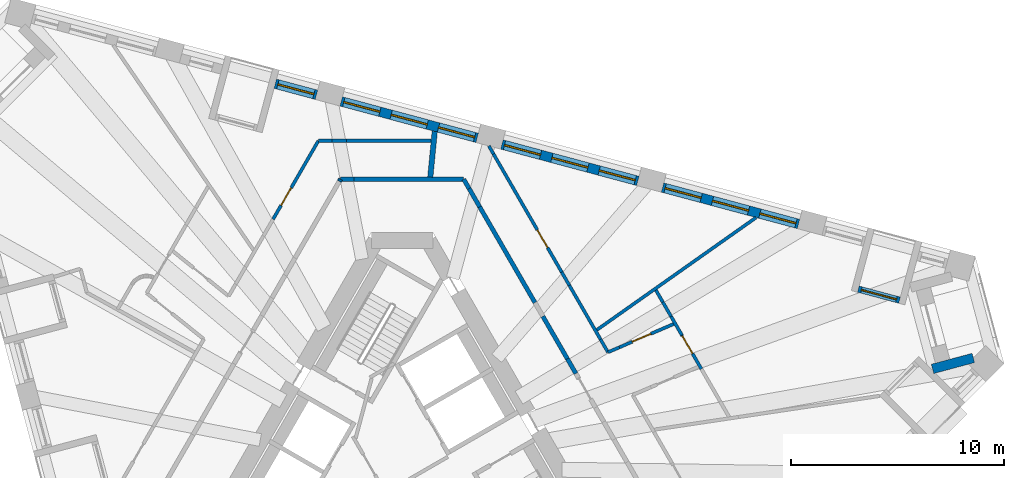
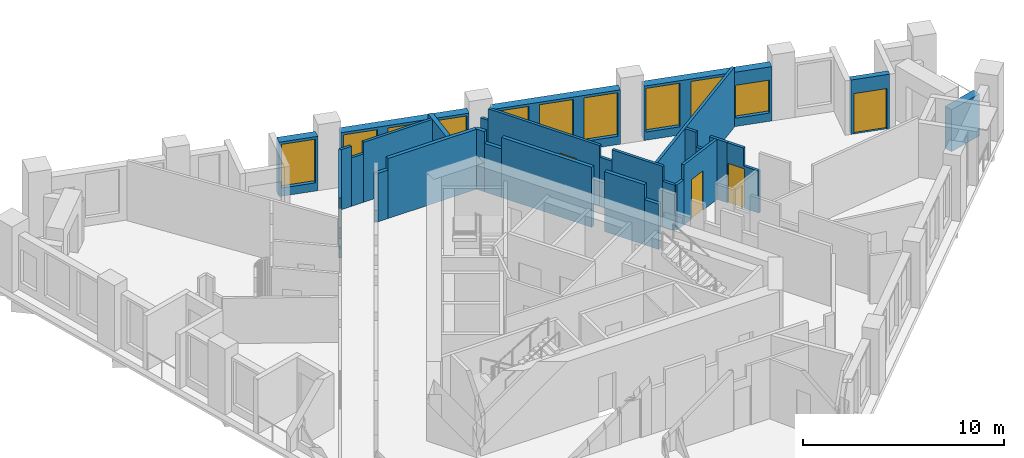
# One storey, part 8 of 13: 31 walls, 10 windows, 5 doors, 15 openings.
"""IFC4 building model written with IfcOpenShell, lengths in metres."""

from ifc_helpers import new_model, si_unit, direction, frame, frame_2d, origin, place, context, subcontext, project, spatial, polyline, rectangle, outline, extrude, material, layer, layer_set, type_object, element, fill, save


model = new_model("IFC4")

# Units and contexts
model_context = context("Model", 3, precision=1e-05, world=origin(), true_north=direction((0.0, 1.0)))
body_context = subcontext(model_context, "Body", "Model", "MODEL_VIEW")
ifc_project = project(units=[si_unit("LENGTHUNIT", "METRE"), si_unit("AREAUNIT", "SQUARE_METRE"), si_unit("VOLUMEUNIT", "CUBIC_METRE"), si_unit("PLANEANGLEUNIT", "RADIAN"), si_unit("MASSUNIT", "GRAM", prefix="KILO")], contexts=[model_context])

# Site, building, storey
site_placement = place(None, origin())
site = spatial("IfcSite", under=ifc_project, at=site_placement, CompositionType="ELEMENT")
building_placement = place(site_placement, origin())
building = spatial("IfcBuilding", under=site, at=building_placement, Name="Tramontana Tower", CompositionType="ELEMENT")
storey_placement = place(building_placement, frame((0.0, 0.0, 212.0)))
storey = spatial("IfcBuildingStorey", under=building, at=storey_placement, Name="L49", CompositionType="ELEMENT", Elevation=212.0)

# Walls
ifc_material_1 = material(Name="Blockwork", Category="masonry")
ifc_layer_1 = layer(ifc_material_1, 0.199951171875)
ifc_layer_set_1 = layer_set([ifc_layer_1], Name="ENTRY WALL 200")
wall_type_1 = type_object("IfcWallType", Name="ENTRY WALL 200", PredefinedType="SOLIDWALL", material=ifc_layer_set_1)
wall_1_placement = place(storey_placement, frame((2.88671875, 13.5, 0.0), z_axis=(0.0, 0.0, 1.0), x_axis=(0.500002592159, -0.866023907196, 0.0)))
element("IfcWall", 1, at=wall_1_placement, inside=storey, type_object=wall_type_1, Name="Wall v51-ew0-0", PredefinedType="SOLIDWALL", context=body_context, shape_type="SweptSolid", body=[
    extrude(rectangle(XDim=0.5029296875, YDim=0.199951171875, at=frame_2d((0.25146484375, 0.0))), origin(), (0.0, 0.0, 1.0), 3.64990234375),
])
wall_2_placement = place(storey_placement, frame((3.13818359375, 13.064453125, 0.0), z_axis=(0.0, 0.0, 1.0), x_axis=(0.500063959222, -0.865988473761, 0.0)))
element("IfcWall", 2, at=wall_2_placement, inside=storey, type_object=wall_type_1, Name="Wall v51-ew0-1", PredefinedType="SOLIDWALL", context=body_context, shape_type="SweptSolid", body=[
    extrude(rectangle(XDim=0.989990234375, YDim=0.199951171875, at=frame_2d((0.4951171875, 0.0))), origin(), (0.0, 0.0, 1.0), 2.949951171875),
])
wall_3_placement = place(storey_placement, frame((3.63330078125, 12.20703125, 0.0), z_axis=(0.0, 0.0, 1.0), x_axis=(0.499990271856, -0.866031020258, 0.0)))
element("IfcWall", 3, at=wall_3_placement, inside=storey, type_object=wall_type_1, Name="Wall v51-ew0-2", PredefinedType="SOLIDWALL", context=body_context, shape_type="SweptSolid", body=[
    extrude(rectangle(XDim=5.181640625, YDim=0.199951171875, at=frame_2d((2.5908203125, 0.0))), origin(), (0.0, 0.0, 1.0), 3.64990234375),
])
wall_4_placement = place(storey_placement, frame((6.594482421875, 7.077880859375, 0.0), z_axis=(0.0, 0.0, 1.0), x_axis=(0.500013761451, -0.866017458461, 0.0)))
element("IfcWall", 4, at=wall_4_placement, inside=storey, type_object=wall_type_1, Name="Wall v51-ew0-4", PredefinedType="SOLIDWALL", context=body_context, shape_type="SweptSolid", body=[
    extrude(rectangle(XDim=2.29736328125, YDim=0.199951171875, at=frame_2d((1.148681640625, 0.0))), origin(), (0.0, 0.0, 1.0), 3.64990234375),
])
wall_5_placement = place(storey_placement, frame((7.7431640625, 5.08837890625, 0.0), z_axis=(0.0, 0.0, 1.0), x_axis=(0.500109828528, -0.865961984968, 0.0)))
element("IfcWall", 5, at=wall_5_placement, inside=storey, type_object=wall_type_1, Name="Wall v51-ew0-5", PredefinedType="SOLIDWALL", context=body_context, shape_type="SweptSolid", body=[
    extrude(rectangle(XDim=0.800048828125, YDim=0.199951171875, at=frame_2d((0.39990234375, 0.0))), origin(), (0.0, 0.0, 1.0), 2.75),
])
wall_6_placement = place(storey_placement, frame((-2.939208984375, 13.4091796875, 0.0), z_axis=(0.0, 0.0, 1.0), x_axis=(0.500393920955, 0.865797853931, 0.0)))
element("IfcWall", 6, at=wall_6_placement, inside=storey, type_object=wall_type_1, Name="Wall v51-ew4-13", PredefinedType="SOLIDWALL", context=body_context, shape_type="SweptSolid", body=[
    extrude(rectangle(XDim=0.10498046875, YDim=0.199951171875, at=frame_2d((0.052490234375, 0.0))), origin(), (0.0, 0.0, 1.0), 2.949951171875),
])
wall_7_placement = place(storey_placement, frame((-2.88671875, 13.5, 0.0), z_axis=(0.0, 0.0, 1.0), x_axis=(1.0, 0.0, 0.0)))
element("IfcWall", 7, at=wall_7_placement, inside=storey, type_object=wall_type_1, Name="Wall v51-ew5-0", PredefinedType="SOLIDWALL", context=body_context, shape_type="SweptSolid", body=[
    extrude(rectangle(XDim=0.642822265625, YDim=0.199951171875, at=frame_2d((0.3212890625, 0.0))), origin(), (0.0, 0.0, 1.0), 2.949951171875),
])
wall_8_placement = place(storey_placement, frame((-2.243896484375, 13.5, 0.0), z_axis=(0.0, 0.0, 1.0), x_axis=(1.0, 0.0, 0.0)))
element("IfcWall", 8, at=wall_8_placement, inside=storey, type_object=wall_type_1, Name="Wall v51-ew5-1", PredefinedType="SOLIDWALL", context=body_context, shape_type="SweptSolid", body=[
    extrude(rectangle(XDim=5.130615234375, YDim=0.199951171875, at=frame_2d((2.5654296875, 0.0))), origin(), (0.0, 0.0, 1.0), 3.64990234375),
])

# Wall, openings, windows
ifc_material_2 = material(Name="Precast concrete 60 MPa", Category="concrete")
ifc_layer_2 = layer(ifc_material_2, 0.449951171875)
ifc_layer_set_2 = layer_set([ifc_layer_2], Name="Precast concrete 60 MPa, 450 mm")
wall_type_2 = type_object("IfcWallType", Name="EW1 Stone-faced precast wall 450", PredefinedType="SOLIDWALL", material=ifc_layer_set_2)
wall_9_placement = place(storey_placement, frame((18.573486328125, 11.406494140625, 0.0), z_axis=(0.0, 0.0, 1.0), x_axis=(-0.965921443251, 0.258835402268, 0.0)))
wall_9 = element("IfcWall", 9, at=wall_9_placement, inside=storey, type_object=wall_type_2, Name="External wall L49 face 2 bay 2", PredefinedType="SOLIDWALL", context=body_context, shape_type="SweptSolid", body=[
    extrude(rectangle(XDim=6.593994140625, YDim=0.449951171875, at=frame_2d((3.296875, 0.0))), origin(), (0.0, 0.0, 1.0), 3.300048828125),
])
opening_1_placement = place(wall_9_placement, frame((0.1240234375, 0.0, 0.5)))
opening_1 = element("IfcOpeningElement", 10, at=opening_1_placement, cuts=wall_9, Name="Opening M2L", PredefinedType="OPENING", context=body_context, shape_type="SweptSolid", body=[
    extrude(rectangle(XDim=1.75, YDim=2.0, at=frame_2d((0.875, 1.0))), frame((0.0, 0.23486328125, 0.0), z_axis=(0.0, -1.0, 0.0), x_axis=(1.0, 0.0, 0.0)), (0.0, 0.0, 1.0), 0.469970703125),
])
opening_2_placement = place(wall_9_placement, frame((2.422119140625, 0.0, 0.5)))
opening_2 = element("IfcOpeningElement", 11, at=opening_2_placement, cuts=wall_9, Name="Opening M2", PredefinedType="OPENING", context=body_context, shape_type="SweptSolid", body=[
    extrude(rectangle(XDim=1.75, YDim=2.64990234375, at=frame_2d((0.875, 1.324951171875))), frame((0.0, 0.23486328125, 0.0), z_axis=(0.0, -1.0, 0.0), x_axis=(1.0, 0.0, 0.0)), (0.0, 0.0, 1.0), 0.469970703125),
])
opening_3_placement = place(wall_9_placement, frame((4.72021484375, 0.0, 0.5)))
opening_3 = element("IfcOpeningElement", 12, at=opening_3_placement, cuts=wall_9, Name="Opening M2", PredefinedType="OPENING", context=body_context, shape_type="SweptSolid", body=[
    extrude(rectangle(XDim=1.75, YDim=2.64990234375, at=frame_2d((0.875, 1.324951171875))), frame((0.0, 0.23486328125, 0.0), z_axis=(0.0, -1.0, 0.0), x_axis=(1.0, 0.0, 0.0)), (0.0, 0.0, 1.0), 0.469970703125),
])
ifc_material_3 = material(Name="Aluminum frame, double glazing unit", Category="aluminium")
window_type_1 = type_object("IfcWindowType", Name="M2 Window 1.75 x 2.65", PartitioningType="SINGLE_PANEL", PredefinedType="WINDOW", material=ifc_material_3)
window_1_placement = place(opening_2_placement, origin())
window_1 = element("IfcWindow", 13, at=window_1_placement, inside=storey, type_object=window_type_1, Name="Window M2 L49 face 2 module 5", OverallHeight=2.64990234375, OverallWidth=1.75, PartitioningType="SINGLE_PANEL", PredefinedType="WINDOW", context=body_context, shape_type="SweptSolid", body=[
    extrude(rectangle(XDim=1.75, YDim=2.64990234375, at=frame_2d((0.875, 1.324951171875))), frame((0.0, 0.030029296875, 0.0), z_axis=(0.0, -1.0, 0.0), x_axis=(1.0, 0.0, 0.0)), (0.0, 0.0, 1.0), 0.06005859375),
])
fill(opening_2, window_1)
window_2_placement = place(opening_3_placement, origin())
window_2 = element("IfcWindow", 14, at=window_2_placement, inside=storey, type_object=window_type_1, Name="Window M2 L49 face 2 module 6", OverallHeight=2.64990234375, OverallWidth=1.75, PartitioningType="SINGLE_PANEL", PredefinedType="WINDOW", context=body_context, shape_type="SweptSolid", body=[
    extrude(rectangle(XDim=1.75, YDim=2.64990234375, at=frame_2d((0.875, 1.324951171875))), frame((0.0, 0.030029296875, 0.0), z_axis=(0.0, -1.0, 0.0), x_axis=(1.0, 0.0, 0.0)), (0.0, 0.0, 1.0), 0.06005859375),
])
fill(opening_3, window_2)
ifc_material_4 = material(Name="Aluminum frame, double glazing unit", Category="aluminium")
window_type_2 = type_object("IfcWindowType", Name="M2L Window 1.75 x 2", PartitioningType="SINGLE_PANEL", PredefinedType="WINDOW", material=ifc_material_4)
window_3_placement = place(opening_1_placement, origin())
window_3 = element("IfcWindow", 15, at=window_3_placement, inside=storey, type_object=window_type_2, Name="Window M2L L49 face 2 module 4", OverallHeight=2.0, OverallWidth=1.75, PartitioningType="SINGLE_PANEL", PredefinedType="WINDOW", context=body_context, shape_type="SweptSolid", body=[
    extrude(rectangle(XDim=1.75, YDim=2.0, at=frame_2d((0.875, 1.0))), frame((0.0, 0.030029296875, 0.0), z_axis=(0.0, -1.0, 0.0), x_axis=(1.0, 0.0, 0.0)), (0.0, 0.0, 1.0), 0.06005859375),
])
fill(opening_1, window_3)

wall_10_placement = place(storey_placement, frame((11.044921875, 13.423828125, 0.0), z_axis=(0.0, 0.0, 1.0), x_axis=(-0.965933178973, 0.258791602952, 0.0)))
wall_10 = element("IfcWall", 16, at=wall_10_placement, inside=storey, type_object=wall_type_2, Name="External wall L49 face 2 bay 3", PredefinedType="SOLIDWALL", context=body_context, shape_type="SweptSolid", body=[
    extrude(rectangle(XDim=6.59423828125, YDim=0.449951171875, at=frame_2d((3.297119140625, 0.0))), origin(), (0.0, 0.0, 1.0), 3.300048828125),
])
opening_4_placement = place(wall_10_placement, frame((0.1240234375, 0.0, 0.5)))
opening_4 = element("IfcOpeningElement", 17, at=opening_4_placement, cuts=wall_10, Name="Opening M2", PredefinedType="OPENING", context=body_context, shape_type="SweptSolid", body=[
    extrude(rectangle(XDim=1.75, YDim=2.64990234375, at=frame_2d((0.875, 1.324951171875))), frame((0.0, 0.23486328125, 0.0), z_axis=(0.0, -1.0, 0.0), x_axis=(1.0, 0.0, 0.0)), (0.0, 0.0, 1.0), 0.469970703125),
])
opening_5_placement = place(wall_10_placement, frame((2.422119140625, 0.0, 0.5)))
opening_5 = element("IfcOpeningElement", 18, at=opening_5_placement, cuts=wall_10, Name="Opening M2", PredefinedType="OPENING", context=body_context, shape_type="SweptSolid", body=[
    extrude(rectangle(XDim=1.75, YDim=2.64990234375, at=frame_2d((0.875, 1.324951171875))), frame((0.0, 0.23486328125, 0.0), z_axis=(0.0, -1.0, 0.0), x_axis=(1.0, 0.0, 0.0)), (0.0, 0.0, 1.0), 0.469970703125),
])
opening_6_placement = place(wall_10_placement, frame((4.72021484375, 0.0, 0.5)))
opening_6 = element("IfcOpeningElement", 19, at=opening_6_placement, cuts=wall_10, Name="Opening M2", PredefinedType="OPENING", context=body_context, shape_type="SweptSolid", body=[
    extrude(rectangle(XDim=1.75, YDim=2.64990234375, at=frame_2d((0.875, 1.324951171875))), frame((0.0, 0.23486328125, 0.0), z_axis=(0.0, -1.0, 0.0), x_axis=(1.0, 0.0, 0.0)), (0.0, 0.0, 1.0), 0.469970703125),
])
window_4_placement = place(opening_4_placement, origin())
window_4 = element("IfcWindow", 20, at=window_4_placement, inside=storey, type_object=window_type_1, Name="Window M2 L49 face 2 module 7", OverallHeight=2.64990234375, OverallWidth=1.75, PartitioningType="SINGLE_PANEL", PredefinedType="WINDOW", context=body_context, shape_type="SweptSolid", body=[
    extrude(rectangle(XDim=1.75, YDim=2.64990234375, at=frame_2d((0.875, 1.324951171875))), frame((0.0, 0.030029296875, 0.0), z_axis=(0.0, -1.0, 0.0), x_axis=(1.0, 0.0, 0.0)), (0.0, 0.0, 1.0), 0.06005859375),
])
fill(opening_4, window_4)
window_5_placement = place(opening_5_placement, origin())
window_5 = element("IfcWindow", 21, at=window_5_placement, inside=storey, type_object=window_type_1, Name="Window M2 L49 face 2 module 8", OverallHeight=2.64990234375, OverallWidth=1.75, PartitioningType="SINGLE_PANEL", PredefinedType="WINDOW", context=body_context, shape_type="SweptSolid", body=[
    extrude(rectangle(XDim=1.75, YDim=2.64990234375, at=frame_2d((0.875, 1.324951171875))), frame((0.0, 0.030029296875, 0.0), z_axis=(0.0, -1.0, 0.0), x_axis=(1.0, 0.0, 0.0)), (0.0, 0.0, 1.0), 0.06005859375),
])
fill(opening_5, window_5)
window_6_placement = place(opening_6_placement, origin())
window_6 = element("IfcWindow", 22, at=window_6_placement, inside=storey, type_object=window_type_1, Name="Window M2 L49 face 2 module 9", OverallHeight=2.64990234375, OverallWidth=1.75, PartitioningType="SINGLE_PANEL", PredefinedType="WINDOW", context=body_context, shape_type="SweptSolid", body=[
    extrude(rectangle(XDim=1.75, YDim=2.64990234375, at=frame_2d((0.875, 1.324951171875))), frame((0.0, 0.030029296875, 0.0), z_axis=(0.0, -1.0, 0.0), x_axis=(1.0, 0.0, 0.0)), (0.0, 0.0, 1.0), 0.06005859375),
])
fill(opening_6, window_6)

wall_11_placement = place(storey_placement, frame((3.516357421875, 15.441162109375, 0.0), z_axis=(0.0, 0.0, 1.0), x_axis=(-0.965933178973, 0.258791602952, 0.0)))
wall_11 = element("IfcWall", 23, at=wall_11_placement, inside=storey, type_object=wall_type_2, Name="External wall L49 face 2 bay 4", PredefinedType="SOLIDWALL", context=body_context, shape_type="SweptSolid", body=[
    extrude(rectangle(XDim=6.59423828125, YDim=0.449951171875, at=frame_2d((3.297119140625, 0.0))), origin(), (0.0, 0.0, 1.0), 3.300048828125),
])
opening_7_placement = place(wall_11_placement, frame((0.1240234375, 0.0, 0.5)))
opening_7 = element("IfcOpeningElement", 24, at=opening_7_placement, cuts=wall_11, Name="Opening M2", PredefinedType="OPENING", context=body_context, shape_type="SweptSolid", body=[
    extrude(rectangle(XDim=1.75, YDim=2.64990234375, at=frame_2d((0.875, 1.324951171875))), frame((0.0, 0.23486328125, 0.0), z_axis=(0.0, -1.0, 0.0), x_axis=(1.0, 0.0, 0.0)), (0.0, 0.0, 1.0), 0.469970703125),
])
opening_8_placement = place(wall_11_placement, frame((2.422119140625, 0.0, 0.5)))
opening_8 = element("IfcOpeningElement", 25, at=opening_8_placement, cuts=wall_11, Name="Opening M2", PredefinedType="OPENING", context=body_context, shape_type="SweptSolid", body=[
    extrude(rectangle(XDim=1.75, YDim=2.64990234375, at=frame_2d((0.875, 1.324951171875))), frame((0.0, 0.23486328125, 0.0), z_axis=(0.0, -1.0, 0.0), x_axis=(1.0, 0.0, 0.0)), (0.0, 0.0, 1.0), 0.469970703125),
])
opening_9_placement = place(wall_11_placement, frame((4.72021484375, 0.0, 0.5)))
opening_9 = element("IfcOpeningElement", 26, at=opening_9_placement, cuts=wall_11, Name="Opening M2", PredefinedType="OPENING", context=body_context, shape_type="SweptSolid", body=[
    extrude(rectangle(XDim=1.75, YDim=2.64990234375, at=frame_2d((0.875, 1.324951171875))), frame((0.0, 0.23486328125, 0.0), z_axis=(0.0, -1.0, 0.0), x_axis=(1.0, 0.0, 0.0)), (0.0, 0.0, 1.0), 0.469970703125),
])
window_7_placement = place(opening_7_placement, origin())
window_7 = element("IfcWindow", 27, at=window_7_placement, inside=storey, type_object=window_type_1, Name="Window M2 L49 face 2 module 10", OverallHeight=2.64990234375, OverallWidth=1.75, PartitioningType="SINGLE_PANEL", PredefinedType="WINDOW", context=body_context, shape_type="SweptSolid", body=[
    extrude(rectangle(XDim=1.75, YDim=2.64990234375, at=frame_2d((0.875, 1.324951171875))), frame((0.0, 0.030029296875, 0.0), z_axis=(0.0, -1.0, 0.0), x_axis=(1.0, 0.0, 0.0)), (0.0, 0.0, 1.0), 0.06005859375),
])
fill(opening_7, window_7)
window_8_placement = place(opening_8_placement, origin())
window_8 = element("IfcWindow", 28, at=window_8_placement, inside=storey, type_object=window_type_1, Name="Window M2 L49 face 2 module 11", OverallHeight=2.64990234375, OverallWidth=1.75, PartitioningType="SINGLE_PANEL", PredefinedType="WINDOW", context=body_context, shape_type="SweptSolid", body=[
    extrude(rectangle(XDim=1.75, YDim=2.64990234375, at=frame_2d((0.875, 1.324951171875))), frame((0.0, 0.030029296875, 0.0), z_axis=(0.0, -1.0, 0.0), x_axis=(1.0, 0.0, 0.0)), (0.0, 0.0, 1.0), 0.06005859375),
])
fill(opening_8, window_8)
window_9_placement = place(opening_9_placement, origin())
window_9 = element("IfcWindow", 29, at=window_9_placement, inside=storey, type_object=window_type_1, Name="Window M2 L49 face 2 module 12", OverallHeight=2.64990234375, OverallWidth=1.75, PartitioningType="SINGLE_PANEL", PredefinedType="WINDOW", context=body_context, shape_type="SweptSolid", body=[
    extrude(rectangle(XDim=1.75, YDim=2.64990234375, at=frame_2d((0.875, 1.324951171875))), frame((0.0, 0.030029296875, 0.0), z_axis=(0.0, -1.0, 0.0), x_axis=(1.0, 0.0, 0.0)), (0.0, 0.0, 1.0), 0.06005859375),
])
fill(opening_9, window_9)

# Wall, opening, window
wall_12_placement = place(storey_placement, frame((-4.012451171875, 17.458251953125, 0.0), z_axis=(0.0, 0.0, 1.0), x_axis=(-0.965899500874, 0.25891727291, 0.0)))
wall_12 = element("IfcWall", 30, at=wall_12_placement, inside=storey, type_object=wall_type_2, Name="External wall L49 face 2 bay 5", PredefinedType="SOLIDWALL", context=body_context, shape_type="SweptSolid", body=[
    extrude(rectangle(XDim=1.998046875, YDim=0.449951171875, at=frame_2d((0.9990234375, 0.0))), origin(), (0.0, 0.0, 1.0), 3.300048828125),
])
opening_10_placement = place(wall_12_placement, frame((0.1240234375, 0.0, 0.5)))
opening_10 = element("IfcOpeningElement", 31, at=opening_10_placement, cuts=wall_12, Name="Opening M2", PredefinedType="OPENING", context=body_context, shape_type="SweptSolid", body=[
    extrude(rectangle(XDim=1.75, YDim=2.64990234375, at=frame_2d((0.875, 1.324951171875))), frame((0.0, 0.23486328125, 0.0), z_axis=(0.0, -1.0, 0.0), x_axis=(1.0, 0.0, 0.0)), (0.0, 0.0, 1.0), 0.469970703125),
])
window_10_placement = place(opening_10_placement, origin())
window_10 = element("IfcWindow", 32, at=window_10_placement, inside=storey, type_object=window_type_1, Name="Window M2 L49 face 2 module 13", OverallHeight=2.64990234375, OverallWidth=1.75, PartitioningType="SINGLE_PANEL", PredefinedType="WINDOW", context=body_context, shape_type="SweptSolid", body=[
    extrude(rectangle(XDim=1.75, YDim=2.64990234375, at=frame_2d((0.875, 1.324951171875))), frame((0.0, 0.030029296875, 0.0), z_axis=(0.0, -1.0, 0.0), x_axis=(1.0, 0.0, 0.0)), (0.0, 0.0, 1.0), 0.06005859375),
])
fill(opening_10, window_10)

# Wall
wall_13_placement = place(storey_placement, frame((26.76416015625, 5.126708984375, 0.0), z_axis=(0.0, 0.0, 1.0), x_axis=(-0.965927127032, -0.258814190615, 0.0)))
element("IfcWall", 33, at=wall_13_placement, inside=storey, type_object=wall_type_2, Name="Corner loggia side wall L49 K52r", PredefinedType="SOLIDWALL", context=body_context, shape_type="SweptSolid", body=[
    extrude(rectangle(XDim=1.97900390625, YDim=0.449951171875, at=frame_2d((0.989501953125, 0.0))), origin(), (0.0, 0.0, 1.0), 2.550048828125),
])

# Wall, opening, door
ifc_material_5 = material(Name="Precast concrete 60 MPa", Category="concrete")
ifc_layer_3 = layer(ifc_material_5, 0.300048828125)
ifc_layer_set_3 = layer_set([ifc_layer_3], Name="LW1 Stone-faced loggia wall 300")
wall_type_3 = type_object("IfcWallType", Name="LW1 Stone-faced loggia wall 300", PredefinedType="SOLIDWALL", material=ifc_layer_set_3)
wall_14_placement = place(storey_placement, frame((23.306640625, 7.834716796875, 0.0), z_axis=(0.0, 0.0, 1.0), x_axis=(-0.965938235865, 0.258772727493, 0.0)))
wall_14 = element("IfcWall", 34, at=wall_14_placement, inside=storey, type_object=wall_type_3, Name="Loggia wall L49 G5S2.1", PredefinedType="SOLIDWALL", context=body_context, shape_type="SweptSolid", body=[
    extrude(rectangle(XDim=1.998291015625, YDim=0.300048828125, at=frame_2d((0.9990234375, 0.0))), origin(), (0.0, 0.0, 1.0), 3.300048828125),
])
opening_11_placement = place(wall_14_placement, frame((0.14892578125, 0.0, 0.0)))
opening_11 = element("IfcOpeningElement", 35, at=opening_11_placement, cuts=wall_14, Name="Opening BD-5S2-01", PredefinedType="OPENING", context=body_context, shape_type="SweptSolid", body=[
    extrude(rectangle(XDim=1.699951171875, YDim=2.449951171875, at=frame_2d((0.85009765625, 1.22509765625))), frame((0.0, 0.159912109375, 0.0), z_axis=(0.0, -1.0, 0.0), x_axis=(1.0, 0.0, 0.0)), (0.0, 0.0, 1.0), 0.320068359375),
])
ifc_material_6 = material(Name="Aluminum frame, double glazing unit", Category="aluminium")
door_type_1 = type_object("IfcDoorType", Name="BD2 Sliding door 1.7 x 2.45", OperationType="SLIDING_TO_LEFT", PredefinedType="DOOR", material=ifc_material_6)
door_1_placement = place(opening_11_placement, origin())
door_1 = element("IfcDoor", 36, at=door_1_placement, inside=storey, type_object=door_type_1, Name="Loggia door L49 G5S2.1", OperationType="SLIDING_TO_LEFT", OverallHeight=2.449951171875, OverallWidth=1.699951171875, PredefinedType="DOOR", context=body_context, shape_type="SweptSolid", body=[
    extrude(rectangle(XDim=1.699951171875, YDim=2.449951171875, at=frame_2d((0.85009765625, 1.22509765625))), frame((0.0, 0.02490234375, 0.0), z_axis=(0.0, -1.0, 0.0), x_axis=(1.0, 0.0, 0.0)), (0.0, 0.0, 1.0), 0.050048828125),
])
fill(opening_11, door_1)

ifc_material_7 = material(Name="Gypsum board partition")
ifc_layer_4 = layer(ifc_material_7, 0.14990234375)
ifc_layer_set_4 = layer_set([ifc_layer_4], Name="PARTITION 150")
wall_type_4 = type_object("IfcWallType", Name="PARTITION 150", PredefinedType="PARTITIONING", material=ifc_layer_set_4)
wall_15_placement = place(storey_placement, frame((-6.045654296875, 11.628662109375, 0.0), z_axis=(0.0, 0.0, 1.0), x_axis=(0.500016586593, 0.866015827298, 0.0)))
wall_15 = element("IfcWall", 37, at=wall_15_placement, inside=storey, type_object=wall_type_4, Name="Wall v51-pw29-4", PredefinedType="PARTITIONING", context=body_context, shape_type="SweptSolid", body=[
    extrude(rectangle(XDim=4.239013671875, YDim=0.14990234375, at=frame_2d((2.11962890625, 0.0))), origin(), (0.0, 0.0, 1.0), 3.64990234375),
])
opening_12_placement = place(wall_15_placement, frame((0.7490234375, 0.0, 0.0)))
opening_12 = element("IfcOpeningElement", 38, at=opening_12_placement, cuts=wall_15, Name="Opening B5B-04", PredefinedType="OPENING", context=body_context, shape_type="SweptSolid", body=[
    extrude(rectangle(XDim=0.949951171875, YDim=2.39990234375, at=frame_2d((0.47509765625, 1.199951171875))), frame((0.0, 0.0849609375, 0.0), z_axis=(0.0, -1.0, 0.0), x_axis=(1.0, 0.0, 0.0)), (0.0, 0.0, 1.0), 0.169921875),
])
ifc_material_8 = material(Name="Painted timber", Category="wood")
door_type_2 = type_object("IfcDoorType", Name="DOOR ROOM 950", OperationType="SINGLE_SWING_LEFT", PredefinedType="DOOR", material=ifc_material_8)
door_2_placement = place(opening_12_placement, origin())
door_2 = element("IfcDoor", 39, at=door_2_placement, inside=storey, type_object=door_type_2, Name="Door B5B-04", OperationType="SINGLE_SWING_RIGHT", OverallHeight=2.39990234375, OverallWidth=0.949951171875, PredefinedType="DOOR", context=body_context, shape_type="SweptSolid", body=[
    extrude(rectangle(XDim=0.949951171875, YDim=2.39990234375, at=frame_2d((0.47509765625, 1.199951171875))), frame((0.0, 0.02490234375, 0.0), z_axis=(0.0, -1.0, 0.0), x_axis=(1.0, 0.0, 0.0)), (0.0, 0.0, 1.0), 0.050048828125),
])
fill(opening_12, door_2)

# Walls
wall_16_placement = place(storey_placement, frame((-3.92578125, 15.300048828125, 0.0), z_axis=(0.0, 0.0, 1.0), x_axis=(1.0, 0.0, 0.0)))
element("IfcWall", 40, at=wall_16_placement, inside=storey, type_object=wall_type_4, Name="Wall v51-pw30-0", PredefinedType="PARTITIONING", context=body_context, shape_type="SweptSolid", body=[
    extrude(rectangle(XDim=0.63525390625, YDim=0.14990234375, at=frame_2d((0.317626953125, 0.0))), origin(), (0.0, 0.0, 1.0), 3.64990234375),
])
wall_17_placement = place(storey_placement, frame((-3.29052734375, 15.300048828125, 0.0), z_axis=(0.0, 0.0, 1.0), x_axis=(1.0, 0.0, 0.0)))
element("IfcWall", 41, at=wall_17_placement, inside=storey, type_object=wall_type_4, Name="Wall v51-pw30-1", PredefinedType="PARTITIONING", context=body_context, shape_type="SweptSolid", body=[
    extrude(rectangle(XDim=0.687255859375, YDim=0.14990234375, at=frame_2d((0.34375, 0.0))), origin(), (0.0, 0.0, 1.0), 2.949951171875),
])
wall_18_placement = place(storey_placement, frame((-2.603271484375, 15.300048828125, 0.0), z_axis=(0.0, 0.0, 1.0), x_axis=(1.0, 0.0, 0.0)))
element("IfcWall", 42, at=wall_18_placement, inside=storey, type_object=wall_type_4, Name="Wall v51-pw30-2", PredefinedType="PARTITIONING", context=body_context, shape_type="SweptSolid", body=[
    extrude(rectangle(XDim=3.962890625, YDim=0.14990234375, at=frame_2d((1.9814453125, 0.0))), origin(), (0.0, 0.0, 1.0), 3.64990234375),
])
wall_19_placement = place(storey_placement, frame((4.063720703125, 15.061279296875, 0.0), z_axis=(0.0, 0.0, 1.0), x_axis=(0.500027377864, -0.86600959659, 0.0)))
element("IfcWall", 43, at=wall_19_placement, inside=storey, type_object=wall_type_4, Name="Wall v51-pw54-0", PredefinedType="PARTITIONING", context=body_context, shape_type="SweptSolid", body=[
    extrude(rectangle(XDim=0.43896484375, YDim=0.14990234375, at=frame_2d((0.219482421875, 0.0))), origin(), (0.0, 0.0, 1.0), 2.949951171875),
])

# Wall, opening, door
wall_20_placement = place(storey_placement, frame((4.283203125, 14.68115234375, 0.0), z_axis=(0.0, 0.0, 1.0), x_axis=(0.500010206181, -0.866019511163, 0.0)))
wall_20 = element("IfcWall", 44, at=wall_20_placement, inside=storey, type_object=wall_type_4, Name="Wall v51-pw54-1", PredefinedType="PARTITIONING", context=body_context, shape_type="SweptSolid", body=[
    extrude(rectangle(XDim=6.389404296875, YDim=0.14990234375, at=frame_2d((3.19482421875, 0.0))), origin(), (0.0, 0.0, 1.0), 3.64990234375),
])
opening_13_placement = place(wall_20_placement, frame((4.109130859375, 0.0, 0.0)))
opening_13 = element("IfcOpeningElement", 45, at=opening_13_placement, cuts=wall_20, Name="Opening B5B-17", PredefinedType="OPENING", context=body_context, shape_type="SweptSolid", body=[
    extrude(rectangle(XDim=0.949951171875, YDim=2.39990234375, at=frame_2d((0.47509765625, 1.199951171875))), frame((0.0, 0.0849609375, 0.0), z_axis=(0.0, -1.0, 0.0), x_axis=(1.0, 0.0, 0.0)), (0.0, 0.0, 1.0), 0.169921875),
])
door_3_placement = place(opening_13_placement, origin())
door_3 = element("IfcDoor", 46, at=door_3_placement, inside=storey, type_object=door_type_2, Name="Door B5B-17", OperationType="SINGLE_SWING_LEFT", OverallHeight=2.39990234375, OverallWidth=0.949951171875, PredefinedType="DOOR", context=body_context, shape_type="SweptSolid", body=[
    extrude(rectangle(XDim=0.949951171875, YDim=2.39990234375, at=frame_2d((0.47509765625, 1.199951171875))), frame((0.0, 0.02490234375, 0.0), z_axis=(0.0, -1.0, 0.0), x_axis=(1.0, 0.0, 0.0)), (0.0, 0.0, 1.0), 0.050048828125),
])
fill(opening_13, door_3)

# Walls
wall_21_placement = place(storey_placement, frame((7.47802734375, 9.147705078125, 0.0), z_axis=(0.0, 0.0, 1.0), x_axis=(0.499998569178, -0.866026229868, 0.0)))
element("IfcWall", 47, at=wall_21_placement, inside=storey, type_object=wall_type_4, Name="Wall v51-pw54-2", PredefinedType="PARTITIONING", context=body_context, shape_type="SweptSolid", body=[
    extrude(rectangle(XDim=0.71435546875, YDim=0.14990234375, at=frame_2d((0.357177734375, 0.0))), origin(), (0.0, 0.0, 1.0), 2.949951171875),
])
wall_22_placement = place(storey_placement, frame((7.835205078125, 8.529052734375, 0.0), z_axis=(0.0, 0.0, 1.0), x_axis=(0.49998782916, -0.866032430508, 0.0)))
element("IfcWall", 48, at=wall_22_placement, inside=storey, type_object=wall_type_4, Name="Wall v51-pw54-3", PredefinedType="PARTITIONING", context=body_context, shape_type="SweptSolid", body=[
    extrude(rectangle(XDim=2.919921875, YDim=0.14990234375, at=frame_2d((1.4599609375, 0.0))), origin(), (0.0, 0.0, 1.0), 3.64990234375),
])
wall_23_placement = place(storey_placement, frame((9.295166015625, 6.000244140625, 0.0), z_axis=(0.0, 0.0, 1.0), x_axis=(0.49991492233, -0.866074517829, 0.0)))
element("IfcWall", 49, at=wall_23_placement, inside=storey, type_object=wall_type_4, Name="Wall v51-pw54-4", PredefinedType="PARTITIONING", context=body_context, shape_type="SweptSolid", body=[
    extrude(rectangle(XDim=0.6953125, YDim=0.14990234375, at=frame_2d((0.34765625, 0.0))), origin(), (0.0, 0.0, 1.0), 2.75),
])
wall_24_placement = place(storey_placement, frame((9.126708984375, 6.44189453125, 0.0), z_axis=(0.0, 0.0, 1.0), x_axis=(0.816989355672, 0.576652748817, 0.0)))
element("IfcWall", 50, at=wall_24_placement, inside=storey, type_object=wall_type_4, Name="Wall v51-pw58", PredefinedType="PARTITIONING", context=body_context, shape_type="SweptSolid", body=[
    extrude(rectangle(XDim=9.129150390625, YDim=0.14990234375, at=frame_2d((4.564453125, 0.0))), origin(), (0.0, 0.0, 1.0), 3.64990234375),
])
wall_25_placement = place(storey_placement, frame((9.646728515625, 5.396728515625, 0.0), z_axis=(0.0, 0.0, 1.0), x_axis=(0.91873168047, 0.394882386668, 0.0)))
element("IfcWall", 51, at=wall_25_placement, inside=storey, type_object=wall_type_4, Name="Wall v51-pw60-0", PredefinedType="PARTITIONING", context=body_context, shape_type="SweptSolid", body=[
    extrude(rectangle(XDim=0.5810546875, YDim=0.14990234375, at=frame_2d((0.29052734375, 0.0))), origin(), (0.0, 0.0, 1.0), 2.75),
])

# Wall, opening, door
wall_26_placement = place(storey_placement, frame((10.1806640625, 5.626220703125, 0.0), z_axis=(0.0, 0.0, 1.0), x_axis=(0.918784080303, 0.394760451138, 0.0)))
wall_26 = element("IfcWall", 52, at=wall_26_placement, inside=storey, type_object=wall_type_4, Name="Wall v51-pw60-1", PredefinedType="PARTITIONING", context=body_context, shape_type="SweptSolid", body=[
    extrude(rectangle(XDim=2.8369140625, YDim=0.14990234375, at=frame_2d((1.41845703125, 0.0))), origin(), (0.0, 0.0, 1.0), 3.64990234375),
])
opening_14_placement = place(wall_26_placement, frame((0.65283203125, 0.0, 0.0)))
opening_14 = element("IfcOpeningElement", 53, at=opening_14_placement, cuts=wall_26, Name="Opening B5B-13", PredefinedType="OPENING", context=body_context, shape_type="SweptSolid", body=[
    extrude(rectangle(XDim=0.949951171875, YDim=2.39990234375, at=frame_2d((0.47509765625, 1.199951171875))), frame((0.0, 0.0849609375, 0.0), z_axis=(0.0, -1.0, 0.0), x_axis=(1.0, 0.0, 0.0)), (0.0, 0.0, 1.0), 0.169921875),
])
door_4_placement = place(opening_14_placement, origin())
door_4 = element("IfcDoor", 54, at=door_4_placement, inside=storey, type_object=door_type_2, Name="Door B5B-13", OperationType="SINGLE_SWING_LEFT", OverallHeight=2.39990234375, OverallWidth=0.949951171875, PredefinedType="DOOR", context=body_context, shape_type="SweptSolid", body=[
    extrude(rectangle(XDim=0.949951171875, YDim=2.39990234375, at=frame_2d((0.47509765625, 1.199951171875))), frame((0.0, 0.02490234375, 0.0), z_axis=(0.0, -1.0, 0.0), x_axis=(1.0, 0.0, 0.0)), (0.0, 0.0, 1.0), 0.050048828125),
])
fill(opening_14, door_4)

# Walls
wall_27_placement = place(storey_placement, frame((11.892333984375, 8.302001953125, 0.0), z_axis=(0.0, 0.0, 1.0), x_axis=(0.499842556608, -0.866116284689, 0.0)))
element("IfcWall", 55, at=wall_27_placement, inside=storey, type_object=wall_type_4, Name="Wall v51-pw62-0", PredefinedType="PARTITIONING", context=body_context, shape_type="SweptSolid", body=[
    extrude(rectangle(XDim=0.645263671875, YDim=0.14990234375, at=frame_2d((0.32275390625, 0.0))), origin(), (0.0, 0.0, 1.0), 3.64990234375),
])
wall_28_placement = place(storey_placement, frame((12.21484375, 7.7431640625, 0.0), z_axis=(0.0, 0.0, 1.0), x_axis=(0.500204125617, -0.865907519724, 0.0)))
element("IfcWall", 56, at=wall_28_placement, inside=storey, type_object=wall_type_4, Name="Wall v51-pw62-1", PredefinedType="PARTITIONING", context=body_context, shape_type="SweptSolid", body=[
    extrude(rectangle(XDim=0.775146484375, YDim=0.14990234375, at=frame_2d((0.3876953125, 0.0))), origin(), (0.0, 0.0, 1.0), 2.75),
])
wall_29_placement = place(storey_placement, frame((12.6025390625, 7.072021484375, 0.0), z_axis=(0.0, 0.0, 1.0), x_axis=(0.499813337478, -0.866133146623, 0.0)))
element("IfcWall", 57, at=wall_29_placement, inside=storey, type_object=wall_type_4, Name="Wall v51-pw62-2", PredefinedType="PARTITIONING", context=body_context, shape_type="SweptSolid", body=[
    extrude(rectangle(XDim=1.0078125, YDim=0.14990234375, at=frame_2d((0.50390625, 0.0))), origin(), (0.0, 0.0, 1.0), 3.64990234375),
])

# Wall, opening, door
wall_30_placement = place(storey_placement, frame((13.106201171875, 6.19921875, 0.0), z_axis=(0.0, 0.0, 1.0), x_axis=(0.500011000363, -0.866019052629, 0.0)))
wall_30 = element("IfcWall", 58, at=wall_30_placement, inside=storey, type_object=wall_type_4, Name="Wall v51-pw62-3", PredefinedType="PARTITIONING", context=body_context, shape_type="SweptSolid", body=[
    extrude(outline(polyline([(0.0, 0.0), (1.8310546875, 0.0), (1.8310546875, 2.550048828125), (0.9423828125, 2.550048828125), (0.9423828125, 3.64990234375), (0.0, 3.64990234375), (0.0, 0.0)])), frame((0.0, 0.074951171875, 0.0), z_axis=(0.0, -1.0, 0.0), x_axis=(1.0, 0.0, 0.0)), (0.0, 0.0, 1.0), 0.14990234375),
])
opening_15_placement = place(wall_30_placement, frame((0.050048828125, 0.0, 0.0)))
opening_15 = element("IfcOpeningElement", 59, at=opening_15_placement, cuts=wall_30, Name="Opening B5B-15", PredefinedType="OPENING", context=body_context, shape_type="SweptSolid", body=[
    extrude(rectangle(XDim=0.949951171875, YDim=2.39990234375, at=frame_2d((0.47509765625, 1.199951171875))), frame((0.0, 0.0849609375, 0.0), z_axis=(0.0, -1.0, 0.0), x_axis=(1.0, 0.0, 0.0)), (0.0, 0.0, 1.0), 0.169921875),
])
door_5_placement = place(opening_15_placement, origin())
door_5 = element("IfcDoor", 60, at=door_5_placement, inside=storey, type_object=door_type_2, Name="Door B5B-15", OperationType="SINGLE_SWING_LEFT", OverallHeight=2.39990234375, OverallWidth=0.949951171875, PredefinedType="DOOR", context=body_context, shape_type="SweptSolid", body=[
    extrude(rectangle(XDim=0.949951171875, YDim=2.39990234375, at=frame_2d((0.47509765625, 1.199951171875))), frame((0.0, 0.02490234375, 0.0), z_axis=(0.0, -1.0, 0.0), x_axis=(1.0, 0.0, 0.0)), (0.0, 0.0, 1.0), 0.050048828125),
])
fill(opening_15, door_5)

# Wall
ifc_material_9 = material(Name="Blockwork", Category="masonry")
ifc_layer_5 = layer(ifc_material_9, 0.25)
ifc_layer_set_5 = layer_set([ifc_layer_5], Name="PARTY WALL 250")
wall_type_5 = type_object("IfcWallType", Name="PARTY WALL 250", PredefinedType="SOLIDWALL", material=ifc_layer_set_5)
wall_31_placement = place(storey_placement, frame((1.528076171875, 15.740966796875, 0.0), z_axis=(0.0, 0.0, 1.0), x_axis=(-0.096592624469, -0.995323999961, 0.0)))
element("IfcWall", 61, at=wall_31_placement, inside=storey, type_object=wall_type_5, Name="Wall v51-pw53", PredefinedType="SOLIDWALL", context=body_context, shape_type="SweptSolid", body=[
    extrude(rectangle(XDim=2.15087890625, YDim=0.25, at=frame_2d((1.075439453125, 0.0))), origin(), (0.0, 0.0, 1.0), 3.64990234375),
])

save(model, "model.ifc")
